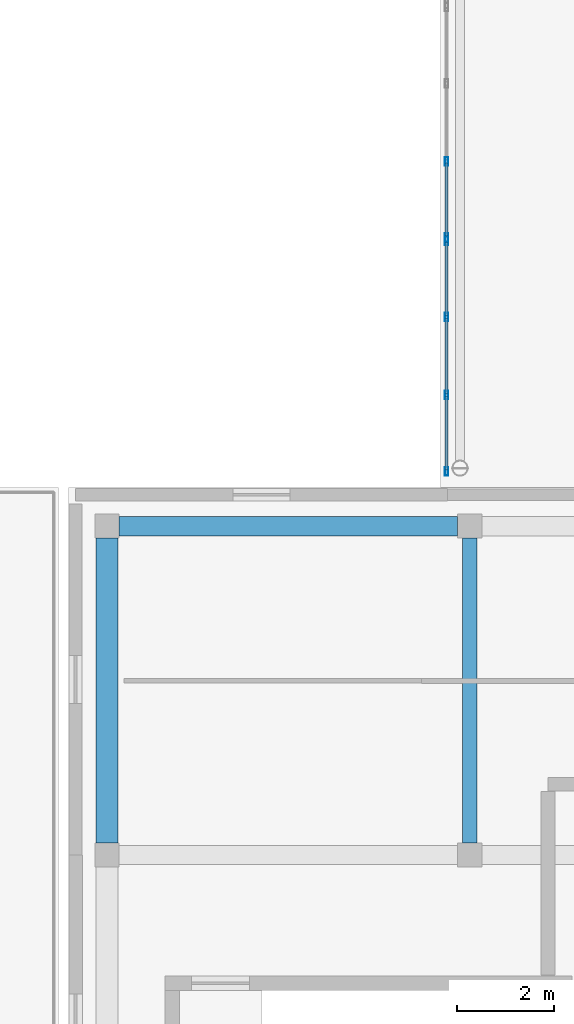
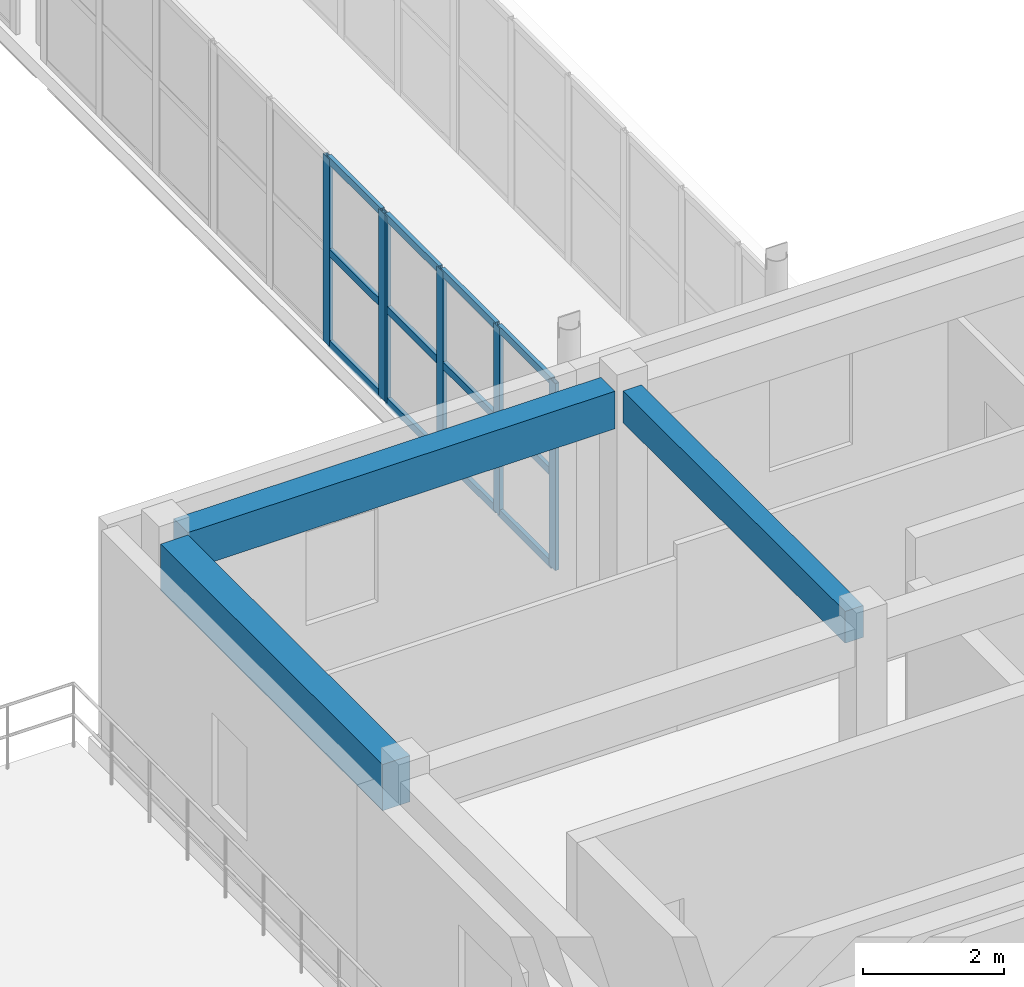
# One storey, part 14 of 52: 18 members, 3 beams, 2 elements without a shape of their own.
"""IFC4 building model written with IfcOpenShell, lengths in metres."""

from ifc_helpers import new_model, si_unit, direction, frame, origin, origin_2d, place, context, subcontext, project, spatial, rectangle, hollow_rectangle, extrude, material, layer, layer_set, material_profile, profile_set, type_object, element, aggregate, save


model = new_model("IFC4")

# Units and contexts
model_context = context("Model", 3, precision=1e-05, world=origin(), true_north=direction((0.0, 1.0)))
body_context = subcontext(model_context, "Body", "Model", "MODEL_VIEW")
ifc_project = project(units=[si_unit("LENGTHUNIT", "METRE"), si_unit("AREAUNIT", "SQUARE_METRE"), si_unit("VOLUMEUNIT", "CUBIC_METRE"), si_unit("PLANEANGLEUNIT", "RADIAN"), si_unit("MASSUNIT", "GRAM", prefix="KILO")], contexts=[model_context])

# Site, building, storey
site_placement = place(None, origin())
site = spatial("IfcSite", under=ifc_project, at=site_placement, CompositionType="ELEMENT")
building_placement = place(site_placement, origin())
building = spatial("IfcBuilding", under=site, at=building_placement, Name="Valcora Specialist Clinic", CompositionType="ELEMENT")
storey_placement = place(building_placement, frame((0.0, 0.0, 17.679931640625)))
storey = spatial("IfcBuildingStorey", under=building, at=storey_placement, Name="L04", CompositionType="ELEMENT", Elevation=17.679931640625)

# Beams
ifc_material_1 = material(Name="Concrete C40/50", Category="concrete")
ifc_material_profile_1 = material_profile(ifc_material_1, rectangle(XDim=0.300048828125, YDim=0.550048828125, at=origin_2d()), Name="RC-BM-300X550")
ifc_profile_set_1 = profile_set([ifc_material_profile_1], Name="Concrete C40/50")
beam_type_1 = type_object("IfcBeamType", Name="TY-BM-RC300X550", PredefinedType="BEAM", material=ifc_profile_set_1)
beam_1_placement = place(storey_placement, frame((61.800048828125, 15.449951171875, 3.5), z_axis=(0.0, 1.0, 0.0), x_axis=(-1.0, 0.0, 0.0)))
element("IfcBeam", 1, at=beam_1_placement, inside=storey, type_object=beam_type_1, Name="Beam BM-L04-1487", PredefinedType="BEAM", context=body_context, shape_type="SweptSolid", body=[
    extrude(rectangle(XDim=0.300048828125, YDim=0.550048828125, at=origin_2d()), origin(), (0.0, 0.0, 1.0), 6.300048828125),
])
ifc_material_profile_2 = material_profile(ifc_material_1, rectangle(XDim=0.39990234375, YDim=0.64990234375, at=origin_2d()), Name="RC-BM-400X650")
ifc_profile_set_2 = profile_set([ifc_material_profile_2], Name="Concrete C40/50")
beam_type_2 = type_object("IfcBeamType", Name="TY-BM-RC400X650", PredefinedType="BEAM", material=ifc_profile_set_2)
beam_2_placement = place(storey_placement, frame((54.550048828125, 22.0, 3.449951171875), z_axis=(1.0, 0.0, 0.0), x_axis=(0.0, 1.0, 0.0)))
element("IfcBeam", 2, at=beam_2_placement, inside=storey, type_object=beam_type_2, Name="Beam BM-L04-1479", PredefinedType="BEAM", context=body_context, shape_type="SweptSolid", body=[
    extrude(rectangle(XDim=0.39990234375, YDim=0.64990234375, at=origin_2d()), origin(), (0.0, 0.0, 1.0), 7.0),
])
ifc_material_profile_3 = material_profile(ifc_material_1, rectangle(XDim=0.449951171875, YDim=0.800048828125, at=origin_2d()), Name="RC-BM-450X800")
ifc_profile_set_3 = profile_set([ifc_material_profile_3], Name="Concrete C40/50")
beam_type_3 = type_object("IfcBeamType", Name="TY-BM-RC450X800", PredefinedType="BEAM", material=ifc_profile_set_3)
beam_3_placement = place(storey_placement, frame((54.300048828125, 15.449951171875, 3.375), z_axis=(0.0, 1.0, 0.0), x_axis=(-1.0, 0.0, 0.0)))
element("IfcBeam", 3, at=beam_3_placement, inside=storey, type_object=beam_type_3, Name="Beam BM-L04-1486", PredefinedType="BEAM", context=body_context, shape_type="SweptSolid", body=[
    extrude(rectangle(XDim=0.449951171875, YDim=0.800048828125, at=origin_2d()), origin(), (0.0, 0.0, 1.0), 6.300048828125),
])

# Curtain wall, members
ifc_material_2 = material(Name="Anodized Bronze Aluminium 6063-T6", Category="aluminium")
ifc_layer = layer(ifc_material_2, 0.175048828125)
ifc_layer_set = layer_set([ifc_layer], Name="Anodized Bronze Aluminium 6063-T6")
curtain_wall_type = type_object("IfcCurtainWallType", Name="TY-CW-BRG14", PredefinedType="NOTDEFINED", material=ifc_layer_set)
curtain_wall_1_placement = place(storey_placement, origin())
curtain_wall_1 = element("IfcCurtainWall", 4, at=curtain_wall_1_placement, inside=storey, type_object=curtain_wall_type, Name="Curtain wall CW-L04-267", PredefinedType="NOTDEFINED")
ifc_material_profile_4 = material_profile(ifc_material_2, hollow_rectangle(XDim=0.06494140625, YDim=0.175048828125, WallThickness=0.00390625, at=origin_2d()), Name="AL-MUL-65X175")
ifc_profile_set_4 = profile_set([ifc_material_profile_4], Name="Anodized Bronze Aluminium 6063-T6")
member_type_1 = type_object("IfcMemberType", Name="TY-CWM-65X175", PredefinedType="MULLION", material=ifc_profile_set_4)
member_1_placement = place(storey_placement, frame((61.320068359375, 23.132568359375, 0.0), z_axis=(0.0, 0.0, 1.0), x_axis=(-1.0, 0.0, 0.0)))
member_1 = element("IfcMember", 5, at=member_1_placement, type_object=member_type_1, Name="CW-BRG-14 mullion 1", PredefinedType="MULLION", context=body_context, shape_type="SweptSolid", body=[
    extrude(hollow_rectangle(XDim=0.06494140625, YDim=0.175048828125, WallThickness=0.00390625, at=origin_2d()), origin(), (0.0, 0.0, 1.0), 3.239990234375),
])
member_2_placement = place(storey_placement, frame((61.320068359375, 24.711181640625, 0.0), z_axis=(0.0, 0.0, 1.0), x_axis=(-1.0, 0.0, 0.0)))
member_2 = element("IfcMember", 6, at=member_2_placement, type_object=member_type_1, Name="CW-BRG-14 mullion 2", PredefinedType="MULLION", context=body_context, shape_type="SweptSolid", body=[
    extrude(hollow_rectangle(XDim=0.06494140625, YDim=0.175048828125, WallThickness=0.00390625, at=origin_2d()), origin(), (0.0, 0.0, 1.0), 3.239990234375),
])
member_3_placement = place(storey_placement, frame((61.320068359375, 26.322265625, 0.0), z_axis=(0.0, 0.0, 1.0), x_axis=(-1.0, 0.0, 0.0)))
member_3 = element("IfcMember", 7, at=member_3_placement, type_object=member_type_1, Name="CW-BRG-14 mullion 3", PredefinedType="MULLION", context=body_context, shape_type="SweptSolid", body=[
    extrude(hollow_rectangle(XDim=0.06494140625, YDim=0.175048828125, WallThickness=0.00390625, at=origin_2d()), origin(), (0.0, 0.0, 1.0), 3.239990234375),
])
member_4_placement = place(storey_placement, frame((61.320068359375, 27.90087890625, 0.0), z_axis=(0.0, 0.0, 1.0), x_axis=(-1.0, 0.0, 0.0)))
member_4 = element("IfcMember", 8, at=member_4_placement, type_object=member_type_1, Name="CW-BRG-14 mullion 4", PredefinedType="MULLION", context=body_context, shape_type="SweptSolid", body=[
    extrude(hollow_rectangle(XDim=0.06494140625, YDim=0.175048828125, WallThickness=0.00390625, at=origin_2d()), origin(), (0.0, 0.0, 1.0), 3.239990234375),
])

curtain_wall_2_placement = place(storey_placement, origin())
curtain_wall_2 = element("IfcCurtainWall", 9, at=curtain_wall_2_placement, inside=storey, type_object=curtain_wall_type, Name="Curtain wall CW-L04-268", PredefinedType="NOTDEFINED")
member_5_placement = place(storey_placement, frame((61.320068359375, 27.9658203125, 0.0), z_axis=(0.0, 0.0, 1.0), x_axis=(-1.0, 0.0, 0.0)))
member_5 = element("IfcMember", 10, at=member_5_placement, type_object=member_type_1, Name="CW-BRG-14 mullion 1", PredefinedType="MULLION", context=body_context, shape_type="SweptSolid", body=[
    extrude(hollow_rectangle(XDim=0.06494140625, YDim=0.175048828125, WallThickness=0.00390625, at=origin_2d()), origin(), (0.0, 0.0, 1.0), 3.239990234375),
])
member_6_placement = place(storey_placement, frame((61.320068359375, 29.54443359375, 0.0), z_axis=(0.0, 0.0, 1.0), x_axis=(-1.0, 0.0, 0.0)))
member_6 = element("IfcMember", 11, at=member_6_placement, type_object=member_type_1, Name="CW-BRG-14 mullion 2", PredefinedType="MULLION", context=body_context, shape_type="SweptSolid", body=[
    extrude(hollow_rectangle(XDim=0.06494140625, YDim=0.175048828125, WallThickness=0.00390625, at=origin_2d()), origin(), (0.0, 0.0, 1.0), 3.239990234375),
])

# Member
ifc_material_profile_5 = material_profile(ifc_material_2, hollow_rectangle(XDim=0.06494140625, YDim=0.1298828125, WallThickness=0.00390625, at=origin_2d()), Name="AL-TRN-65X130")
ifc_profile_set_5 = profile_set([ifc_material_profile_5], Name="Anodized Bronze Aluminium 6063-T6")
member_type_2 = type_object("IfcMemberType", Name="TY-CWT-65X130", PredefinedType="USERDEFINED", material=ifc_profile_set_5)
member_7_placement = place(storey_placement, frame((61.320068359375, 23.1650390625, 0.032470703125), z_axis=(0.0, 1.0, 0.0), x_axis=(-1.0, 0.0, 0.0)))
member_7 = element("IfcMember", 12, at=member_7_placement, type_object=member_type_2, Name="CW-BRG-14 transom 1.1", ObjectType="TRANSOM", PredefinedType="USERDEFINED", context=body_context, shape_type="SweptSolid", body=[
    extrude(hollow_rectangle(XDim=0.06494140625, YDim=0.1298828125, WallThickness=0.00390625, at=origin_2d()), origin(), (0.0, 0.0, 1.0), 1.513671875),
])

member_8_placement = place(storey_placement, frame((61.320068359375, 23.1650390625, 1.6201171875), z_axis=(0.0, 1.0, 0.0), x_axis=(-1.0, 0.0, 0.0)))
member_8 = element("IfcMember", 13, at=member_8_placement, type_object=member_type_2, Name="CW-BRG-14 transom 1.2", ObjectType="TRANSOM", PredefinedType="USERDEFINED", context=body_context, shape_type="SweptSolid", body=[
    extrude(hollow_rectangle(XDim=0.06494140625, YDim=0.1298828125, WallThickness=0.00390625, at=origin_2d()), origin(), (0.0, 0.0, 1.0), 1.513671875),
])

member_9_placement = place(storey_placement, frame((61.320068359375, 23.1650390625, 3.20751953125), z_axis=(0.0, 1.0, 0.0), x_axis=(-1.0, 0.0, 0.0)))
member_9 = element("IfcMember", 14, at=member_9_placement, type_object=member_type_2, Name="CW-BRG-14 transom 1.3", ObjectType="TRANSOM", PredefinedType="USERDEFINED", context=body_context, shape_type="SweptSolid", body=[
    extrude(hollow_rectangle(XDim=0.06494140625, YDim=0.1298828125, WallThickness=0.00390625, at=origin_2d()), origin(), (0.0, 0.0, 1.0), 1.513671875),
])

member_10_placement = place(storey_placement, frame((61.320068359375, 24.74365234375, 0.032470703125), z_axis=(0.0, 1.0, 0.0), x_axis=(-1.0, 0.0, 0.0)))
member_10 = element("IfcMember", 15, at=member_10_placement, type_object=member_type_2, Name="CW-BRG-14 transom 2.1", ObjectType="TRANSOM", PredefinedType="USERDEFINED", context=body_context, shape_type="SweptSolid", body=[
    extrude(hollow_rectangle(XDim=0.06494140625, YDim=0.1298828125, WallThickness=0.00390625, at=origin_2d()), origin(), (0.0, 0.0, 1.0), 1.546142578125),
])

member_11_placement = place(storey_placement, frame((61.320068359375, 24.74365234375, 1.6201171875), z_axis=(0.0, 1.0, 0.0), x_axis=(-1.0, 0.0, 0.0)))
member_11 = element("IfcMember", 16, at=member_11_placement, type_object=member_type_2, Name="CW-BRG-14 transom 2.2", ObjectType="TRANSOM", PredefinedType="USERDEFINED", context=body_context, shape_type="SweptSolid", body=[
    extrude(hollow_rectangle(XDim=0.06494140625, YDim=0.1298828125, WallThickness=0.00390625, at=origin_2d()), origin(), (0.0, 0.0, 1.0), 1.546142578125),
])

member_12_placement = place(storey_placement, frame((61.320068359375, 24.74365234375, 3.20751953125), z_axis=(0.0, 1.0, 0.0), x_axis=(-1.0, 0.0, 0.0)))
member_12 = element("IfcMember", 17, at=member_12_placement, type_object=member_type_2, Name="CW-BRG-14 transom 2.3", ObjectType="TRANSOM", PredefinedType="USERDEFINED", context=body_context, shape_type="SweptSolid", body=[
    extrude(hollow_rectangle(XDim=0.06494140625, YDim=0.1298828125, WallThickness=0.00390625, at=origin_2d()), origin(), (0.0, 0.0, 1.0), 1.546142578125),
])

member_13_placement = place(storey_placement, frame((61.320068359375, 26.354736328125, 0.032470703125), z_axis=(0.0, 1.0, 0.0), x_axis=(-1.0, 0.0, 0.0)))
member_13 = element("IfcMember", 18, at=member_13_placement, type_object=member_type_2, Name="CW-BRG-14 transom 3.1", ObjectType="TRANSOM", PredefinedType="USERDEFINED", context=body_context, shape_type="SweptSolid", body=[
    extrude(hollow_rectangle(XDim=0.06494140625, YDim=0.1298828125, WallThickness=0.00390625, at=origin_2d()), origin(), (0.0, 0.0, 1.0), 1.513671875),
])

member_14_placement = place(storey_placement, frame((61.320068359375, 26.354736328125, 1.6201171875), z_axis=(0.0, 1.0, 0.0), x_axis=(-1.0, 0.0, 0.0)))
member_14 = element("IfcMember", 19, at=member_14_placement, type_object=member_type_2, Name="CW-BRG-14 transom 3.2", ObjectType="TRANSOM", PredefinedType="USERDEFINED", context=body_context, shape_type="SweptSolid", body=[
    extrude(hollow_rectangle(XDim=0.06494140625, YDim=0.1298828125, WallThickness=0.00390625, at=origin_2d()), origin(), (0.0, 0.0, 1.0), 1.513671875),
])

member_15_placement = place(storey_placement, frame((61.320068359375, 26.354736328125, 3.20751953125), z_axis=(0.0, 1.0, 0.0), x_axis=(-1.0, 0.0, 0.0)))
member_15 = element("IfcMember", 20, at=member_15_placement, type_object=member_type_2, Name="CW-BRG-14 transom 3.3", ObjectType="TRANSOM", PredefinedType="USERDEFINED", context=body_context, shape_type="SweptSolid", body=[
    extrude(hollow_rectangle(XDim=0.06494140625, YDim=0.1298828125, WallThickness=0.00390625, at=origin_2d()), origin(), (0.0, 0.0, 1.0), 1.513671875),
])

aggregate(curtain_wall_1, [member_1, member_2, member_3, member_4, member_7, member_8, member_9, member_10, member_11, member_12, member_13, member_14, member_15])

member_16_placement = place(storey_placement, frame((61.320068359375, 27.998291015625, 0.032470703125), z_axis=(0.0, 1.0, 0.0), x_axis=(-1.0, 0.0, 0.0)))
member_16 = element("IfcMember", 21, at=member_16_placement, type_object=member_type_2, Name="CW-BRG-14 transom 1.1", ObjectType="TRANSOM", PredefinedType="USERDEFINED", context=body_context, shape_type="SweptSolid", body=[
    extrude(hollow_rectangle(XDim=0.06494140625, YDim=0.1298828125, WallThickness=0.00390625, at=origin_2d()), origin(), (0.0, 0.0, 1.0), 1.513671875),
])

member_17_placement = place(storey_placement, frame((61.320068359375, 27.998291015625, 1.6201171875), z_axis=(0.0, 1.0, 0.0), x_axis=(-1.0, 0.0, 0.0)))
member_17 = element("IfcMember", 22, at=member_17_placement, type_object=member_type_2, Name="CW-BRG-14 transom 1.2", ObjectType="TRANSOM", PredefinedType="USERDEFINED", context=body_context, shape_type="SweptSolid", body=[
    extrude(hollow_rectangle(XDim=0.06494140625, YDim=0.1298828125, WallThickness=0.00390625, at=origin_2d()), origin(), (0.0, 0.0, 1.0), 1.513671875),
])

member_18_placement = place(storey_placement, frame((61.320068359375, 27.998291015625, 3.20751953125), z_axis=(0.0, 1.0, 0.0), x_axis=(-1.0, 0.0, 0.0)))
member_18 = element("IfcMember", 23, at=member_18_placement, type_object=member_type_2, Name="CW-BRG-14 transom 1.3", ObjectType="TRANSOM", PredefinedType="USERDEFINED", context=body_context, shape_type="SweptSolid", body=[
    extrude(hollow_rectangle(XDim=0.06494140625, YDim=0.1298828125, WallThickness=0.00390625, at=origin_2d()), origin(), (0.0, 0.0, 1.0), 1.513671875),
])

aggregate(curtain_wall_2, [member_5, member_6, member_16, member_17, member_18])

save(model, "model.ifc")
